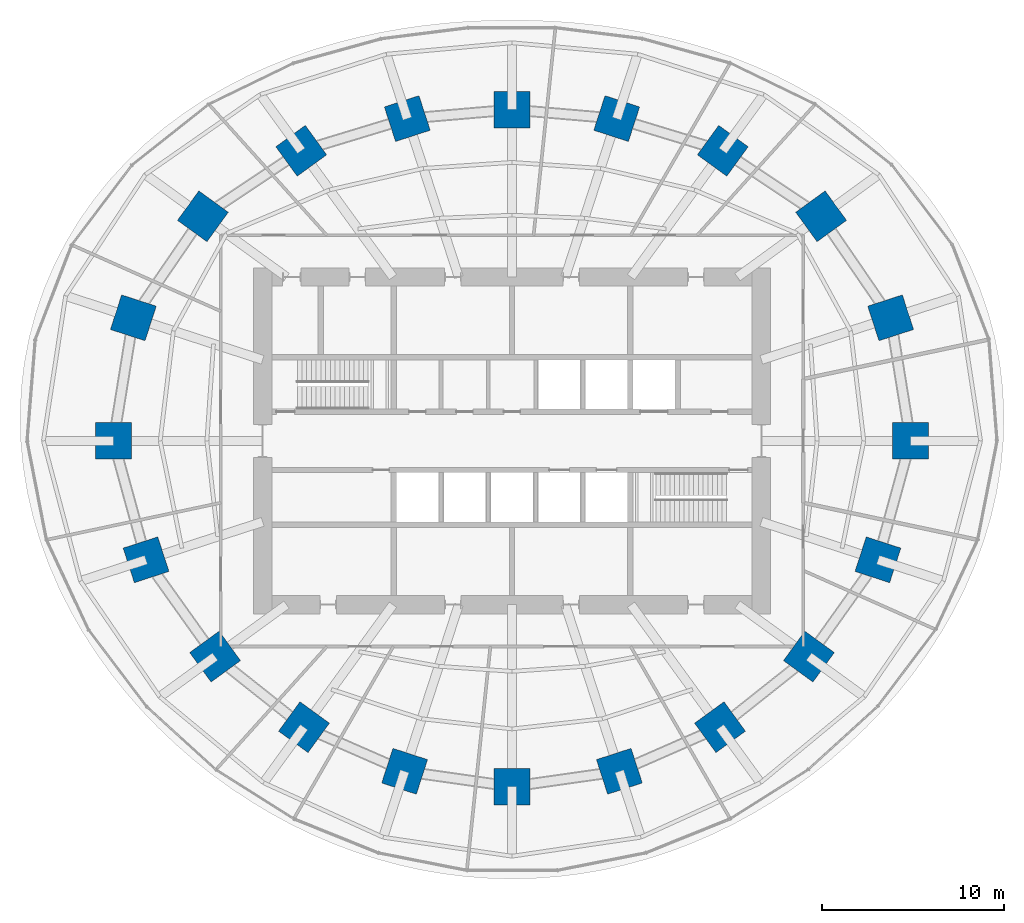
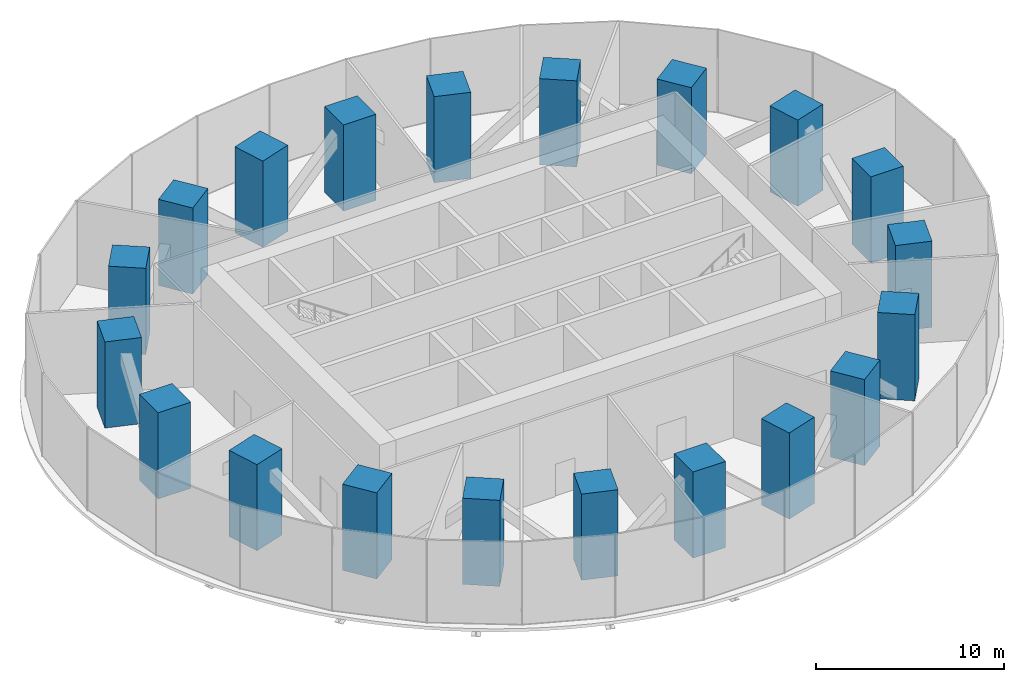
# One storey, part 1 of 13: 20 columns.
"""IFC4 building model written with IfcOpenShell, lengths in metres."""

from ifc_helpers import new_model, si_unit, direction, frame, origin, origin_2d, place, context, subcontext, project, spatial, rectangle, extrude, material, material_profile, profile_set, type_object, element, save


model = new_model("IFC4")

# Units and contexts
model_context = context("Model", 3, precision=1e-05, world=origin(), true_north=direction((0.0, 1.0)))
body_context = subcontext(model_context, "Body", "Model", "MODEL_VIEW")
ifc_project = project(units=[si_unit("LENGTHUNIT", "METRE"), si_unit("AREAUNIT", "SQUARE_METRE"), si_unit("VOLUMEUNIT", "CUBIC_METRE"), si_unit("PLANEANGLEUNIT", "RADIAN"), si_unit("MASSUNIT", "GRAM", prefix="KILO")], contexts=[model_context])

# Site, building, storey
site_placement = place(None, origin())
site = spatial("IfcSite", under=ifc_project, at=site_placement, CompositionType="ELEMENT")
building_placement = place(site_placement, origin())
building = spatial("IfcBuilding", under=site, at=building_placement, Name="Marramba Exchange Tower", CompositionType="ELEMENT")
storey_placement = place(building_placement, frame((0.0, 0.0, 86.800048828125)))
storey = spatial("IfcBuildingStorey", under=building, at=storey_placement, Name="L20", CompositionType="ELEMENT", Elevation=86.800048828125)

# Columns
ifc_material = material(Name="Concrete N50", Category="concrete")
ifc_material_profile = material_profile(ifc_material, rectangle(XDim=2.0, YDim=2.0, at=origin_2d()), Name="RC 2000x2000")
ifc_profile_set = profile_set([ifc_material_profile], Name="Concrete N50")
column_type = type_object("IfcColumnType", Name="Perimeter column RC 2000x2000 N50", PredefinedType="COLUMN", material=ifc_profile_set)
for number, where, z_axis, x_axis, name in (
    (1, (21.89990234375, 0.0, 0.0), (0.0, 0.0, 1.0), (1.0, 0.0, 0.0), "Column TC01 L20"),
    (2, (20.808349609375, 6.760986328125, 0.0), (0.0, 0.0, 1.0), (0.951056516295, 0.309016994375, 0.0), "Column TC02 L20"),
    (3, (16.98583984375, 12.3408203125, 0.0), (0.0, 0.0, 1.0), (0.809016994375, 0.587785252292, 0.0), "Column TC03 L20"),
    (4, (11.581298828125, 15.9404296875, 0.0), (0.0, 0.0, 1.0), (0.587785252292, 0.809016994375, 0.0), "Column TC04 L20"),
    (5, (5.75390625, 17.70849609375, 0.0), (0.0, 0.0, 1.0), (0.309016994375, 0.951056516295, 0.0), "Column TC05 L20"),
    (6, (0.0, 18.2041015625, 0.0), (0.0, 0.0, 1.0), (0.0, 1.0, 0.0), "Column TC06 L20"),
    (7, (-5.75390625, 17.70849609375, 0.0), (0.0, 0.0, 1.0), (-0.309016994375, 0.951056516295, 0.0), "Column TC07 L20"),
    (8, (-11.581298828125, 15.9404296875, 0.0), (0.0, 0.0, 1.0), (-0.587785252292, 0.809016994375, 0.0), "Column TC08 L20"),
    (9, (-16.98583984375, 12.3408203125, 0.0), (0.0, 0.0, 1.0), (-0.809016994375, 0.587785252292, 0.0), "Column TC09 L20"),
    (10, (-20.808349609375, 6.760986328125, 0.0), (0.0, 0.0, 1.0), (-0.951056516295, 0.309016994375, 0.0), "Column TC10 L20"),
    (11, (-21.89990234375, 0.0, 0.0), (0.0, 0.0, 1.0), (-1.0, 0.0, 0.0), "Column TC11 L20"),
    (12, (-20.109375, -6.533935546875, 0.0), (0.0, 0.0, 1.0), (-0.951056516295, -0.309016994375, 0.0), "Column TC12 L20"),
    (13, (-16.3154296875, -11.853759765625, 0.0), (0.0, 0.0, 1.0), (-0.809016994375, -0.587785252292, 0.0), "Column TC13 L20"),
    (14, (-11.430419921875, -15.732666015625, 0.0), (0.0, 0.0, 1.0), (-0.587785252292, -0.809016994375, 0.0), "Column TC14 L20"),
    (15, (-5.899658203125, -18.156982421875, 0.0), (0.0, 0.0, 1.0), (-0.309016994375, -0.951056516295, 0.0), "Column TC15 L20"),
    (16, (0.0, -18.99609375, 0.0), (0.0, 0.0, 1.0), (0.0, -1.0, 0.0), "Column TC16 L20"),
    (17, (5.899658203125, -18.156982421875, 0.0), (0.0, 0.0, 1.0), (0.309016994375, -0.951056516295, 0.0), "Column TC17 L20"),
    (18, (11.430419921875, -15.732666015625, 0.0), (0.0, 0.0, 1.0), (0.587785252292, -0.809016994375, 0.0), "Column TC18 L20"),
    (19, (16.3154296875, -11.853759765625, 0.0), (0.0, 0.0, 1.0), (0.809016994375, -0.587785252292, 0.0), "Column TC19 L20"),
    (20, (20.109375, -6.533935546875, 0.0), (0.0, 0.0, 1.0), (0.951056516295, -0.309016994375, 0.0), "Column TC20 L20"),
):
    element("IfcColumn", number, at=place(storey_placement, frame(where, z_axis=z_axis, x_axis=x_axis)), inside=storey, type_object=column_type, Name=name, PredefinedType="COLUMN", context=body_context, shape_type="SweptSolid", body=[
        extrude(rectangle(XDim=2.0, YDim=2.0, at=origin_2d()), origin(), (0.0, 0.0, 1.0), 5.599853515625),
    ])

save(model, "model.ifc")
